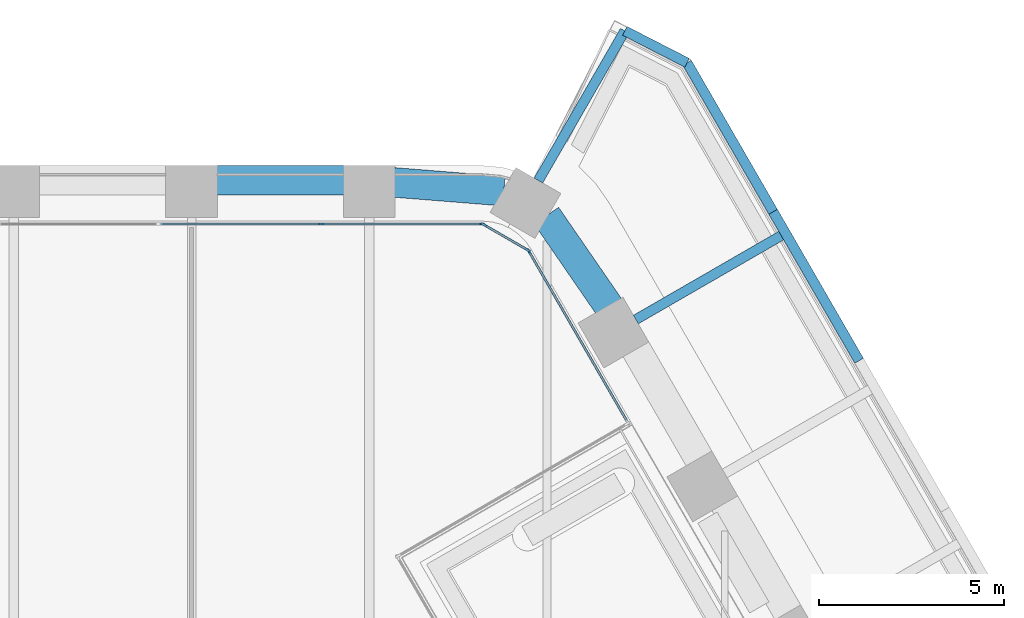
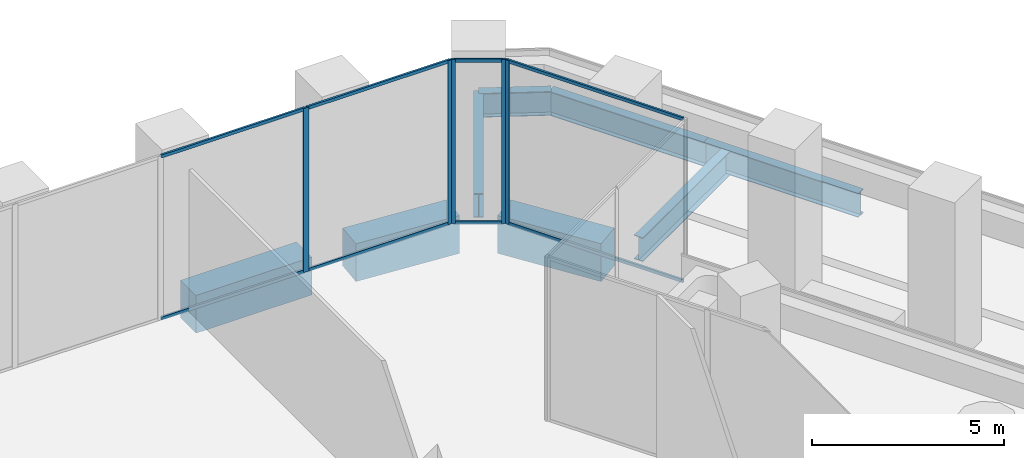
# One storey, part 16 of 32: 13 members, 8 beams, 3 elements without a shape of their own.
"""IFC4 building model written with IfcOpenShell, lengths in metres."""

from ifc_helpers import new_model, si_unit, direction, frame, origin, origin_2d, place, context, subcontext, project, spatial, rectangle, i_section, extrude, material, material_profile, profile_set, type_object, element, aggregate, save


model = new_model("IFC4")

# Units and contexts
model_context = context("Model", 3, precision=1e-05, world=origin(), true_north=direction((0.0, 1.0)))
body_context = subcontext(model_context, "Body", "Model", "MODEL_VIEW")
ifc_project = project(units=[si_unit("LENGTHUNIT", "METRE"), si_unit("AREAUNIT", "SQUARE_METRE"), si_unit("VOLUMEUNIT", "CUBIC_METRE"), si_unit("PLANEANGLEUNIT", "RADIAN"), si_unit("MASSUNIT", "GRAM", prefix="KILO")], contexts=[model_context])

# Site, building, storey
site_placement = place(None, origin())
site = spatial("IfcSite", under=ifc_project, at=site_placement, CompositionType="ELEMENT")
building_placement = place(site_placement, origin())
building = spatial("IfcBuilding", under=site, at=building_placement, Name="Kolab Exchange Tower", CompositionType="ELEMENT")
storey_placement = place(building_placement, frame((0.0, 0.0, 60.89990234375)))
storey = spatial("IfcBuildingStorey", under=building, at=storey_placement, Name="L11", CompositionType="ELEMENT", Elevation=60.89990234375)

# Beams
ifc_material_1 = material(Name="Steel S355", Category="steel")
ifc_material_profile_1 = material_profile(ifc_material_1, i_section(OverallWidth=0.26708984375, OverallDepth=0.761962890625, WebThickness=0.014404296875, FlangeThickness=0.021484375, at=origin_2d()), Name="W760X173")
ifc_profile_set_1 = profile_set([ifc_material_profile_1], Name="Steel S355")
beam_type_1 = type_object("IfcBeamType", Name="FLOOR GIRDER W760X173", PredefinedType="BEAM", material=ifc_profile_set_1)
beam_1_placement = place(storey_placement, frame((18.968017578125, 32.853515625, -0.69091796875), z_axis=(0.500004747635, 0.866022662719, 0.0), x_axis=(-0.866022662719, 0.500004747635, 0.0)))
element("IfcBeam", 1, at=beam_1_placement, inside=storey, type_object=beam_type_1, Name="beam/L11/ledge/rib-00", PredefinedType="BEAM", context=body_context, shape_type="SweptSolid", body=[
    extrude(i_section(OverallWidth=0.26708984375, OverallDepth=0.761962890625, WebThickness=0.014404296875, FlangeThickness=0.021484375, at=origin_2d()), origin(), (0.0, 0.0, 1.0), 4.66650390625),
])
beam_2_placement = place(storey_placement, frame((21.60009765625, 29.098388671875, -0.69091796875), z_axis=(0.866007095043, 0.500031710329, 0.0), x_axis=(-0.500031710329, 0.866007095043, 0.0)))
element("IfcBeam", 2, at=beam_2_placement, inside=storey, type_object=beam_type_1, Name="beam/L11/ledge/rib-01", PredefinedType="BEAM", context=body_context, shape_type="SweptSolid", body=[
    extrude(i_section(OverallWidth=0.26708984375, OverallDepth=0.761962890625, WebThickness=0.014404296875, FlangeThickness=0.021484375, at=origin_2d()), origin(), (0.0, 0.0, 1.0), 4.532958984375),
])
beam_3_placement = place(storey_placement, frame((21.30126953125, 36.89501953125, -0.69091796875), z_axis=(0.889945032592, -0.456067800843, 0.0), x_axis=(0.456067800843, 0.889945032592, 0.0)))
element("IfcBeam", 3, at=beam_3_placement, inside=storey, type_object=beam_type_1, Name="beam/L11/ledge/edge-00", PredefinedType="BEAM", context=body_context, shape_type="SweptSolid", body=[
    extrude(i_section(OverallWidth=0.26708984375, OverallDepth=0.761962890625, WebThickness=0.014404296875, FlangeThickness=0.021484375, at=origin_2d()), origin(), (0.0, 0.0, 1.0), 1.892333984375),
])
beam_4_placement = place(storey_placement, frame((22.9853515625, 36.031982421875, -0.69091796875), z_axis=(0.499993887256, -0.86602893295, 0.0), x_axis=(0.86602893295, 0.499993887256, 0.0)))
element("IfcBeam", 4, at=beam_4_placement, inside=storey, type_object=beam_type_1, Name="beam/L11/ledge/edge-01", PredefinedType="BEAM", context=body_context, shape_type="SweptSolid", body=[
    extrude(i_section(OverallWidth=0.26708984375, OverallDepth=0.761962890625, WebThickness=0.014404296875, FlangeThickness=0.021484375, at=origin_2d()), origin(), (0.0, 0.0, 1.0), 4.6455078125),
])
beam_5_placement = place(storey_placement, frame((25.30810546875, 32.0087890625, -0.69091796875), z_axis=(0.499999984806, -0.866025412557, 0.0), x_axis=(0.866025412557, 0.499999984806, 0.0)))
element("IfcBeam", 5, at=beam_5_placement, inside=storey, type_object=beam_type_1, Name="beam/L11/ledge/edge-02", PredefinedType="BEAM", context=body_context, shape_type="SweptSolid", body=[
    extrude(i_section(OverallWidth=0.26708984375, OverallDepth=0.761962890625, WebThickness=0.014404296875, FlangeThickness=0.021484375, at=origin_2d()), origin(), (0.0, 0.0, 1.0), 4.64501953125),
])
ifc_material_2 = material(Name="Concrete C80/95", Category="concrete")
ifc_material_profile_2 = material_profile(ifc_material_2, rectangle(XDim=0.800048828125, YDim=1.199951171875, at=origin_2d()), Name="RC800X1200")
ifc_profile_set_2 = profile_set([ifc_material_profile_2], Name="Concrete C80/95")
beam_type_2 = type_object("IfcBeamType", Name="SPANDREL BEAM 800X1200 C80/95", PredefinedType="BEAM", material=ifc_profile_set_2)
beam_6_placement = place(storey_placement, frame((10.260009765625, 32.85546875, -0.849853515625), z_axis=(1.0, 0.0, 0.0), x_axis=(0.0, 1.0, 0.0)))
element("IfcBeam", 6, at=beam_6_placement, inside=storey, type_object=beam_type_2, Name="beam/L11/sp/F1-07", PredefinedType="BEAM", context=body_context, shape_type="SweptSolid", body=[
    extrude(rectangle(XDim=0.800048828125, YDim=1.199951171875, at=origin_2d()), origin(), (0.0, 0.0, 1.0), 3.47998046875),
])
beam_7_placement = place(storey_placement, frame((15.06005859375, 32.802734375, -0.849853515625), z_axis=(0.996833978278, -0.07951112973, 0.0), x_axis=(0.07951112973, 0.996833978278, 0.0)))
element("IfcBeam", 7, at=beam_7_placement, inside=storey, type_object=beam_type_2, Name="beam/L11/sp/F1-08", PredefinedType="BEAM", context=body_context, shape_type="SweptSolid", body=[
    extrude(rectangle(XDim=0.800048828125, YDim=1.199951171875, at=origin_2d()), origin(), (0.0, 0.0, 1.0), 2.984619140625),
])
beam_8_placement = place(storey_placement, frame((19.18505859375, 31.901611328125, -0.849853515625), z_axis=(0.567247290755, -0.823547516013, 0.0), x_axis=(0.823547516013, 0.567247290755, 0.0)))
element("IfcBeam", 8, at=beam_8_placement, inside=storey, type_object=beam_type_2, Name="beam/L11/sp/F2-01", PredefinedType="BEAM", context=body_context, shape_type="SweptSolid", body=[
    extrude(rectangle(XDim=0.800048828125, YDim=1.199951171875, at=origin_2d()), origin(), (0.0, 0.0, 1.0), 2.984375),
])

# Curtain wall, members
ifc_material_3 = material(Name="Aluminium EN AW-6063 T6", Category="aluminium")
curtain_wall_type = type_object("IfcCurtainWallType", Name="UNITISED LOW ZONE CURTAIN WALL", PredefinedType="NOTDEFINED", material=ifc_material_3)
curtain_wall_1_placement = place(storey_placement, origin())
curtain_wall_1 = element("IfcCurtainWall", 9, at=curtain_wall_1_placement, inside=storey, type_object=curtain_wall_type, Name="cw/L11/F1-2", PredefinedType="NOTDEFINED")
ifc_material_profile_3 = material_profile(ifc_material_3, rectangle(XDim=0.06005859375, YDim=0.159912109375, at=origin_2d()), Name="RECT 60X160")
ifc_profile_set_3 = profile_set([ifc_material_profile_3], Name="Aluminium EN AW-6063 T6")
member_type_1 = type_object("IfcMemberType", Name="UNITISED LOW ZONE MULLION 60 X 160", PredefinedType="MULLION", material=ifc_profile_set_3)
member_1_placement = place(storey_placement, frame((13.10107421875, 31.67529296875, 0.0), z_axis=(0.0, 0.0, 1.0), x_axis=(0.0, 1.0, 0.0)))
member_1 = element("IfcMember", 10, at=member_1_placement, type_object=member_type_1, Name="CW1 mullion 4", PredefinedType="MULLION", context=body_context, shape_type="SweptSolid", body=[
    extrude(rectangle(XDim=0.06005859375, YDim=0.159912109375, at=origin_2d()), origin(), (0.0, 0.0, 1.0), 5.2001953125),
])
member_2_placement = place(storey_placement, frame((17.43798828125, 31.67529296875, 0.0), z_axis=(0.0, 0.0, 1.0), x_axis=(0.0, 1.0, 0.0)))
member_2 = element("IfcMember", 11, at=member_2_placement, type_object=member_type_1, Name="CW1 mullion 5", PredefinedType="MULLION", context=body_context, shape_type="SweptSolid", body=[
    extrude(rectangle(XDim=0.06005859375, YDim=0.159912109375, at=origin_2d()), origin(), (0.0, 0.0, 1.0), 5.2001953125),
])

# Curtain wall, member
curtain_wall_2_placement = place(storey_placement, origin())
curtain_wall_2 = element("IfcCurtainWall", 12, at=curtain_wall_2_placement, inside=storey, type_object=curtain_wall_type, Name="cw/L11/F2-l-1", PredefinedType="NOTDEFINED")
member_3_placement = place(storey_placement, frame((18.712646484375, 30.939453125, 0.0), z_axis=(0.0, 0.0, 1.0), x_axis=(0.866025377133, 0.500000046161, 0.0)))
member_3 = element("IfcMember", 13, at=member_3_placement, type_object=member_type_1, Name="CW1 mullion 1", PredefinedType="MULLION", context=body_context, shape_type="SweptSolid", body=[
    extrude(rectangle(XDim=0.06005859375, YDim=0.159912109375, at=origin_2d()), origin(), (0.0, 0.0, 1.0), 5.2001953125),
])

# Curtain wall, members
curtain_wall_3_placement = place(storey_placement, origin())
curtain_wall_3 = element("IfcCurtainWall", 14, at=curtain_wall_3_placement, inside=storey, type_object=curtain_wall_type, Name="cw/L11/F1F2-corner", PredefinedType="NOTDEFINED")
member_4_placement = place(storey_placement, frame((17.493896484375, 31.660400390625, 0.0), z_axis=(0.0, 0.0, 1.0), x_axis=(0.50000002237, 0.866025390869, 0.0)))
member_4 = element("IfcMember", 15, at=member_4_placement, type_object=member_type_1, Name="CW1 mullion 1", PredefinedType="MULLION", context=body_context, shape_type="SweptSolid", body=[
    extrude(rectangle(XDim=0.06005859375, YDim=0.159912109375, at=origin_2d()), origin(), (0.0, 0.0, 1.0), 5.2001953125),
])
member_5_placement = place(storey_placement, frame((18.671630859375, 30.98046875, 0.0), z_axis=(0.0, 0.0, 1.0), x_axis=(0.50000002237, 0.866025390869, 0.0)))
member_5 = element("IfcMember", 16, at=member_5_placement, type_object=member_type_1, Name="CW1 mullion 2", PredefinedType="MULLION", context=body_context, shape_type="SweptSolid", body=[
    extrude(rectangle(XDim=0.06005859375, YDim=0.159912109375, at=origin_2d()), origin(), (0.0, 0.0, 1.0), 5.2001953125),
])

# Member
ifc_material_profile_4 = material_profile(ifc_material_3, rectangle(XDim=0.06005859375, YDim=0.10009765625, at=origin_2d()), Name="RECT 60X100")
ifc_profile_set_4 = profile_set([ifc_material_profile_4], Name="Aluminium EN AW-6063 T6")
member_type_2 = type_object("IfcMemberType", Name="UNITISED LOW ZONE TRANSOM 60 X 100", PredefinedType="USERDEFINED", material=ifc_profile_set_4)
member_6_placement = place(storey_placement, frame((8.763916015625, 31.67529296875, 0.030029296875), z_axis=(1.0, 0.0, 0.0), x_axis=(0.0, 1.0, 0.0)))
member_6 = element("IfcMember", 17, at=member_6_placement, type_object=member_type_2, Name="CW1 transom 3.1", ObjectType="TRANSOM", PredefinedType="USERDEFINED", context=body_context, shape_type="SweptSolid", body=[
    extrude(rectangle(XDim=0.06005859375, YDim=0.10009765625, at=origin_2d()), origin(), (0.0, 0.0, 1.0), 4.30712890625),
])

member_7_placement = place(storey_placement, frame((8.763916015625, 31.67529296875, 5.170166015625), z_axis=(1.0, 0.0, 0.0), x_axis=(0.0, 1.0, 0.0)))
member_7 = element("IfcMember", 18, at=member_7_placement, type_object=member_type_2, Name="CW1 transom 3.2", ObjectType="TRANSOM", PredefinedType="USERDEFINED", context=body_context, shape_type="SweptSolid", body=[
    extrude(rectangle(XDim=0.06005859375, YDim=0.10009765625, at=origin_2d()), origin(), (0.0, 0.0, 1.0), 4.30712890625),
])

member_8_placement = place(storey_placement, frame((13.130859375, 31.67529296875, 0.030029296875), z_axis=(1.0, 0.0, 0.0), x_axis=(0.0, 1.0, 0.0)))
member_8 = element("IfcMember", 19, at=member_8_placement, type_object=member_type_2, Name="CW1 transom 4.1", ObjectType="TRANSOM", PredefinedType="USERDEFINED", context=body_context, shape_type="SweptSolid", body=[
    extrude(rectangle(XDim=0.06005859375, YDim=0.10009765625, at=origin_2d()), origin(), (0.0, 0.0, 1.0), 4.277099609375),
])

member_9_placement = place(storey_placement, frame((13.130859375, 31.67529296875, 5.170166015625), z_axis=(1.0, 0.0, 0.0), x_axis=(0.0, 1.0, 0.0)))
member_9 = element("IfcMember", 20, at=member_9_placement, type_object=member_type_2, Name="CW1 transom 4.2", ObjectType="TRANSOM", PredefinedType="USERDEFINED", context=body_context, shape_type="SweptSolid", body=[
    extrude(rectangle(XDim=0.06005859375, YDim=0.10009765625, at=origin_2d()), origin(), (0.0, 0.0, 1.0), 4.277099609375),
])

aggregate(curtain_wall_1, [member_1, member_2, member_6, member_7, member_8, member_9])

member_10_placement = place(storey_placement, frame((18.727783203125, 30.913330078125, 0.030029296875), z_axis=(0.49998723852, -0.866032771503, 0.0), x_axis=(0.866032771503, 0.49998723852, 0.0)))
member_10 = element("IfcMember", 21, at=member_10_placement, type_object=member_type_2, Name="CW1 transom 1.1", ObjectType="TRANSOM", PredefinedType="USERDEFINED", context=body_context, shape_type="SweptSolid", body=[
    extrude(rectangle(XDim=0.06005859375, YDim=0.10009765625, at=origin_2d()), origin(), (0.0, 0.0, 1.0), 5.267822265625),
])

member_11_placement = place(storey_placement, frame((18.727783203125, 30.913330078125, 5.170166015625), z_axis=(0.49998723852, -0.866032771503, 0.0), x_axis=(0.866032771503, 0.49998723852, 0.0)))
member_11 = element("IfcMember", 22, at=member_11_placement, type_object=member_type_2, Name="CW1 transom 1.2", ObjectType="TRANSOM", PredefinedType="USERDEFINED", context=body_context, shape_type="SweptSolid", body=[
    extrude(rectangle(XDim=0.06005859375, YDim=0.10009765625, at=origin_2d()), origin(), (0.0, 0.0, 1.0), 5.267822265625),
])

aggregate(curtain_wall_2, [member_3, member_10, member_11])

member_12_placement = place(storey_placement, frame((17.52001953125, 31.645263671875, 0.030029296875), z_axis=(0.86603858612, -0.49997716683, 0.0), x_axis=(0.49997716683, 0.86603858612, 0.0)))
member_12 = element("IfcMember", 23, at=member_12_placement, type_object=member_type_2, Name="CW1 transom 1.1", ObjectType="TRANSOM", PredefinedType="USERDEFINED", context=body_context, shape_type="SweptSolid", body=[
    extrude(rectangle(XDim=0.06005859375, YDim=0.10009765625, at=origin_2d()), origin(), (0.0, 0.0, 1.0), 1.2998046875),
])

member_13_placement = place(storey_placement, frame((17.52001953125, 31.645263671875, 5.170166015625), z_axis=(0.86603858612, -0.49997716683, 0.0), x_axis=(0.49997716683, 0.86603858612, 0.0)))
member_13 = element("IfcMember", 24, at=member_13_placement, type_object=member_type_2, Name="CW1 transom 1.2", ObjectType="TRANSOM", PredefinedType="USERDEFINED", context=body_context, shape_type="SweptSolid", body=[
    extrude(rectangle(XDim=0.06005859375, YDim=0.10009765625, at=origin_2d()), origin(), (0.0, 0.0, 1.0), 1.2998046875),
])

aggregate(curtain_wall_3, [member_4, member_5, member_12, member_13])

save(model, "model.ifc")
